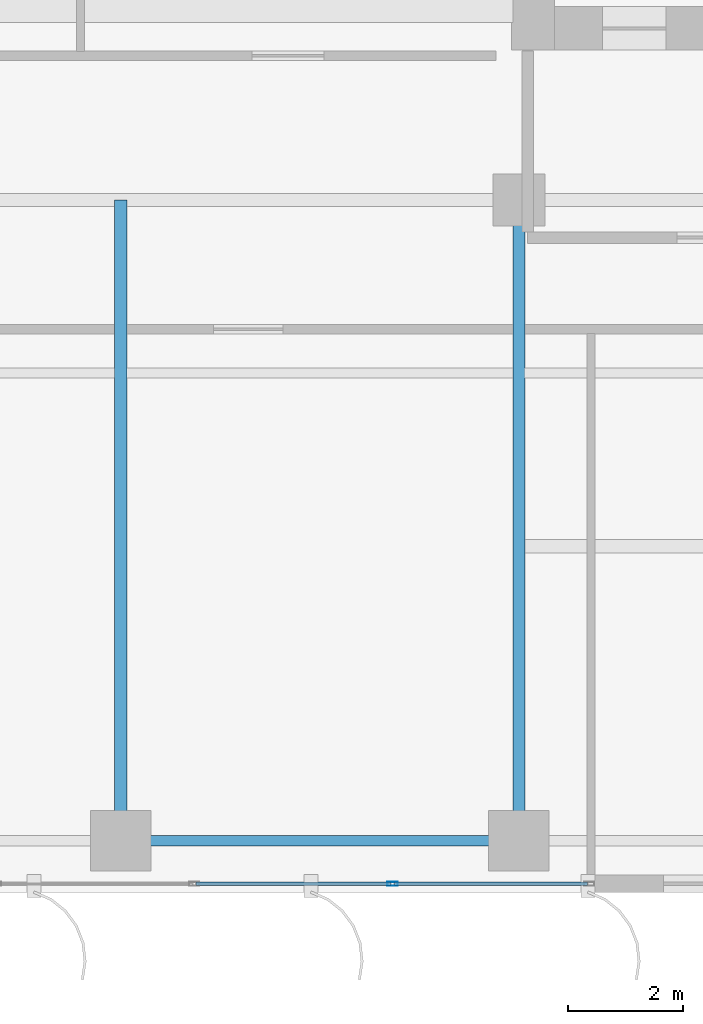
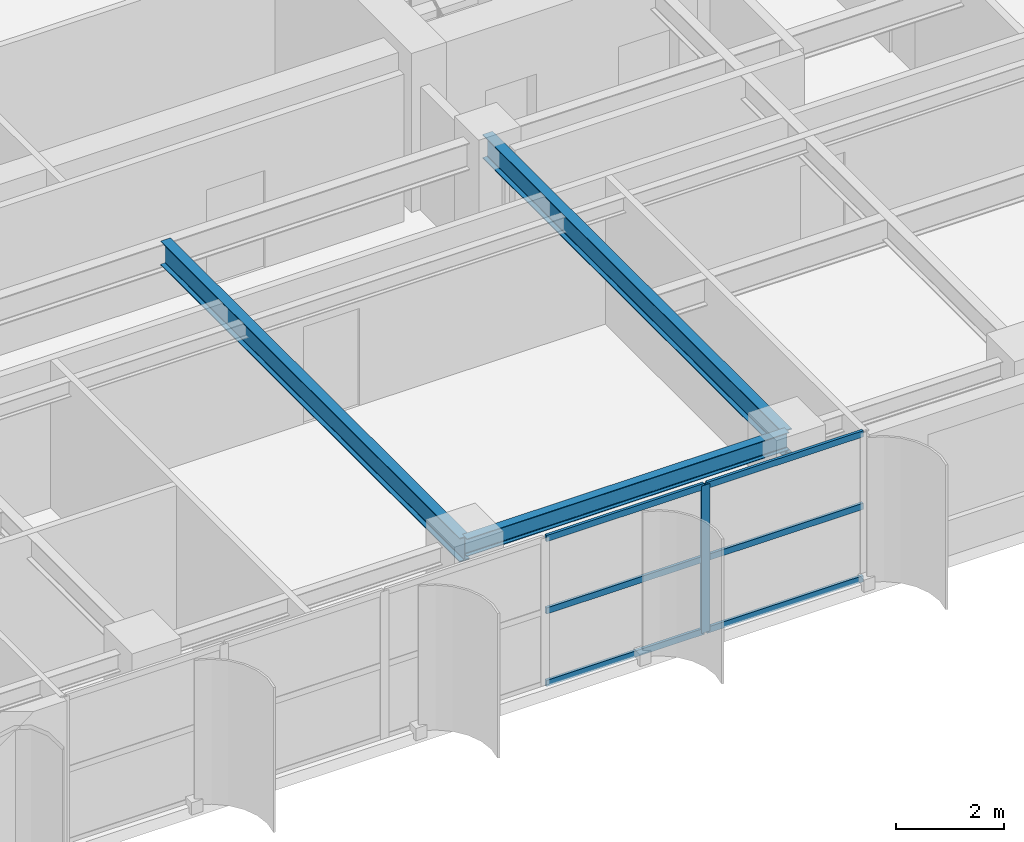
# One storey, part 5 of 26: 7 members, 3 beams, 1 element without a shape of its own.
"""IFC4 building model written with IfcOpenShell, lengths in metres."""

from ifc_helpers import new_model, si_unit, direction, frame, origin, origin_2d, place, context, subcontext, project, spatial, hollow_rectangle, i_section, extrude, source, transform, mapped, material, layer, layer_set, material_profile, profile_set, type_object, element, aggregate, save


model = new_model("IFC4")

# Units and contexts
model_context = context("Model", 3, precision=1e-05, world=origin(), true_north=direction((0.0, 1.0)))
body_context = subcontext(model_context, "Body", "Model", "MODEL_VIEW")
ifc_project = project(units=[si_unit("LENGTHUNIT", "METRE"), si_unit("AREAUNIT", "SQUARE_METRE"), si_unit("VOLUMEUNIT", "CUBIC_METRE"), si_unit("PLANEANGLEUNIT", "RADIAN"), si_unit("MASSUNIT", "GRAM", prefix="KILO")], contexts=[model_context])

# Site, building, storey
site_placement = place(None, origin())
site = spatial("IfcSite", under=ifc_project, at=site_placement, CompositionType="ELEMENT")
building_placement = place(site_placement, origin())
building = spatial("IfcBuilding", under=site, at=building_placement, Name="Khoralis Quay Care Tower", CompositionType="ELEMENT")
storey_placement = place(building_placement, frame((0.0, 0.0, 126.89990234375)))
storey = spatial("IfcBuildingStorey", under=building, at=storey_placement, Name="L33", CompositionType="ELEMENT", Elevation=126.89990234375)

# Beams
ifc_material_1 = material(Name="Steel S355", Category="steel")
ifc_material_profile_1 = material_profile(ifc_material_1, i_section(OverallWidth=0.179931640625, OverallDepth=0.39990234375, WebThickness=0.008544921875, FlangeThickness=0.013427734375, FilletRadius=0.02099609375, at=origin_2d()), Name="Steel S355")
ifc_profile_set_1 = profile_set([ifc_material_profile_1], Name="Steel S355")
beam_type_1 = type_object("IfcBeamType", Name="BM-IPE400", PredefinedType="SPANDREL", material=ifc_profile_set_1)
shared_shape_1 = source(origin(), body_context, "Body", "SweptSolid", [
    extrude(i_section(OverallWidth=0.179931640625, OverallDepth=0.39990234375, WebThickness=0.008544921875, FlangeThickness=0.013427734375, FilletRadius=0.02099609375, at=origin_2d()), origin(), (0.0, 0.0, 1.0), 6.89990234375),
])
beam_placement = place(storey_placement, frame((24.0, 0.89990234375, 3.14013671875), z_axis=(1.0, 0.0, 0.0), x_axis=(0.0, 1.0, 0.0)))
element("IfcBeam", 1, at=beam_placement, inside=storey, type_object=beam_type_1, Name="BM-TSP-L33-04", PredefinedType="SPANDREL", context=body_context, shape_type="MappedRepresentation", body=[
    mapped(shared_shape_1, transform((0.0, 0.0, 0.0), scale=1.0)),
])
ifc_material_profile_2 = material_profile(ifc_material_1, i_section(OverallWidth=0.2119140625, OverallDepth=0.5439453125, WebThickness=0.01318359375, FlangeThickness=0.021240234375, FilletRadius=0.01611328125, at=origin_2d()), Name="Steel S355")
ifc_profile_set_2 = profile_set([ifc_material_profile_2], Name="Steel S355")
beam_type_2 = type_object("IfcBeamType", Name="BM-W530X123", PredefinedType="BEAM", material=ifc_profile_set_2)
shared_shape_2 = source(origin(), body_context, "Body", "SweptSolid", [
    extrude(i_section(OverallWidth=0.2119140625, OverallDepth=0.5439453125, WebThickness=0.01318359375, FlangeThickness=0.021240234375, FilletRadius=0.01611328125, at=origin_2d()), origin(), (0.0, 0.0, 1.0), 11.10009765625),
])
for number, where, z_axis, x_axis, name in (
    (2, (24.0, 0.89990234375, 3.068115234375), (0.0, 1.0, 0.0), (-1.0, 0.0, 0.0), "BM-TGYS-L33-240"),
    (3, (30.89990234375, 0.89990234375, 3.068115234375), (0.0, 1.0, 0.0), (-1.0, 0.0, 0.0), "BM-TGYS-L33-309"),
):
    element("IfcBeam", number, at=place(storey_placement, frame(where, z_axis=z_axis, x_axis=x_axis)), inside=storey, type_object=beam_type_2, Name=name, PredefinedType="BEAM", context=body_context, shape_type="MappedRepresentation", body=[
        mapped(shared_shape_2, transform((0.0, 0.0, 0.0), scale=1.0)),
    ])

# Curtain wall, members
ifc_material_2 = material(Name="Pale anodised aluminium", Category="aluminium")
ifc_layer = layer(ifc_material_2, 0.169921875)
ifc_layer_set = layer_set([ifc_layer], Name="Pale anodised aluminium")
curtain_wall_type = type_object("IfcCurtainWallType", Name="CW-SYS-Z2", PredefinedType="NOTDEFINED", material=ifc_layer_set)
curtain_wall_placement = place(storey_placement, origin())
curtain_wall = element("IfcCurtainWall", 4, at=curtain_wall_placement, inside=storey, type_object=curtain_wall_type, Name="L33 Unitised Curtain Wall CW-L33-P1-E0", PredefinedType="NOTDEFINED")
ifc_material_profile_3 = material_profile(ifc_material_2, hollow_rectangle(XDim=0.06494140625, YDim=0.179931640625, WallThickness=0.00390625, at=origin_2d()), Name="Pale anodised aluminium")
ifc_profile_set_3 = profile_set([ifc_material_profile_3], Name="Pale anodised aluminium")
member_type_1 = type_object("IfcMemberType", Name="CW-MUL-180", PredefinedType="MULLION", material=ifc_profile_set_3)
shared_shape_3 = source(origin(), body_context, "Body", "SweptSolid", [
    extrude(hollow_rectangle(XDim=0.06494140625, YDim=0.179931640625, WallThickness=0.00390625, at=origin_2d()), origin(), (0.0, 0.0, 1.0), 3.340087890625),
])
member_1_placement = place(storey_placement, frame((28.712158203125, 0.14990234375, 0.0), z_axis=(0.0, 0.0, 1.0), x_axis=(0.0, 1.0, 0.0)))
member_1 = element("IfcMember", 5, at=member_1_placement, type_object=member_type_1, Name="CW2 mullion 5", PredefinedType="MULLION", context=body_context, shape_type="MappedRepresentation", body=[
    mapped(shared_shape_3, transform((0.0, 0.0, 0.0), scale=1.0)),
])
ifc_material_profile_4 = material_profile(ifc_material_2, hollow_rectangle(XDim=0.06005859375, YDim=0.139892578125, WallThickness=0.00390625, at=origin_2d()), Name="Pale anodised aluminium")
ifc_profile_set_4 = profile_set([ifc_material_profile_4], Name="Pale anodised aluminium")
member_type_2 = type_object("IfcMemberType", Name="CW-TRN-140", PredefinedType="USERDEFINED", material=ifc_profile_set_4)
shared_shape_4 = source(origin(), body_context, "Body", "SweptSolid", [
    extrude(hollow_rectangle(XDim=0.06005859375, YDim=0.139892578125, WallThickness=0.00390625, at=origin_2d()), origin(), (0.0, 0.0, 1.0), 3.347900390625),
])
member_2_placement = place(storey_placement, frame((28.7421875, 0.14990234375, 0.030029296875), z_axis=(1.0, 0.0, 0.0), x_axis=(0.0, 1.0, 0.0)))
member_2 = element("IfcMember", 6, at=member_2_placement, type_object=member_type_2, Name="CW2 transom 5.1", ObjectType="TRANSOM", PredefinedType="USERDEFINED", context=body_context, shape_type="MappedRepresentation", body=[
    mapped(shared_shape_4, transform((0.0, 0.0, 0.0), scale=1.0)),
])
member_3_placement = place(storey_placement, frame((28.7421875, 0.14990234375, 1.670166015625), z_axis=(1.0, 0.0, 0.0), x_axis=(0.0, 1.0, 0.0)))
member_3 = element("IfcMember", 7, at=member_3_placement, type_object=member_type_2, Name="CW2 transom 5.2", ObjectType="TRANSOM", PredefinedType="USERDEFINED", context=body_context, shape_type="MappedRepresentation", body=[
    mapped(shared_shape_4, transform((0.0, 0.0, 0.0), scale=1.0)),
])
member_4_placement = place(storey_placement, frame((28.7421875, 0.14990234375, 3.31005859375), z_axis=(1.0, 0.0, 0.0), x_axis=(0.0, 1.0, 0.0)))
member_4 = element("IfcMember", 8, at=member_4_placement, type_object=member_type_2, Name="CW2 transom 5.3", ObjectType="TRANSOM", PredefinedType="USERDEFINED", context=body_context, shape_type="MappedRepresentation", body=[
    mapped(shared_shape_4, transform((0.0, 0.0, 0.0), scale=1.0)),
])
shared_shape_5 = source(origin(), body_context, "Body", "SweptSolid", [
    extrude(hollow_rectangle(XDim=0.06005859375, YDim=0.139892578125, WallThickness=0.00390625, at=origin_2d()), origin(), (0.0, 0.0, 1.0), 3.377685546875),
])
member_5_placement = place(storey_placement, frame((25.304443359375, 0.14990234375, 0.030029296875), z_axis=(1.0, 0.0, 0.0), x_axis=(0.0, 1.0, 0.0)))
member_5 = element("IfcMember", 9, at=member_5_placement, type_object=member_type_2, Name="CW2 transom 4.1", ObjectType="TRANSOM", PredefinedType="USERDEFINED", context=body_context, shape_type="MappedRepresentation", body=[
    mapped(shared_shape_5, transform((0.0, 0.0, 0.0), scale=1.0)),
])
member_6_placement = place(storey_placement, frame((25.304443359375, 0.14990234375, 1.670166015625), z_axis=(1.0, 0.0, 0.0), x_axis=(0.0, 1.0, 0.0)))
member_6 = element("IfcMember", 10, at=member_6_placement, type_object=member_type_2, Name="CW2 transom 4.2", ObjectType="TRANSOM", PredefinedType="USERDEFINED", context=body_context, shape_type="MappedRepresentation", body=[
    mapped(shared_shape_5, transform((0.0, 0.0, 0.0), scale=1.0)),
])
member_7_placement = place(storey_placement, frame((25.304443359375, 0.14990234375, 3.31005859375), z_axis=(1.0, 0.0, 0.0), x_axis=(0.0, 1.0, 0.0)))
member_7 = element("IfcMember", 11, at=member_7_placement, type_object=member_type_2, Name="CW2 transom 4.3", ObjectType="TRANSOM", PredefinedType="USERDEFINED", context=body_context, shape_type="MappedRepresentation", body=[
    mapped(shared_shape_5, transform((0.0, 0.0, 0.0), scale=1.0)),
])
aggregate(curtain_wall, [member_1, member_5, member_6, member_7, member_2, member_3, member_4])

save(model, "model.ifc")
